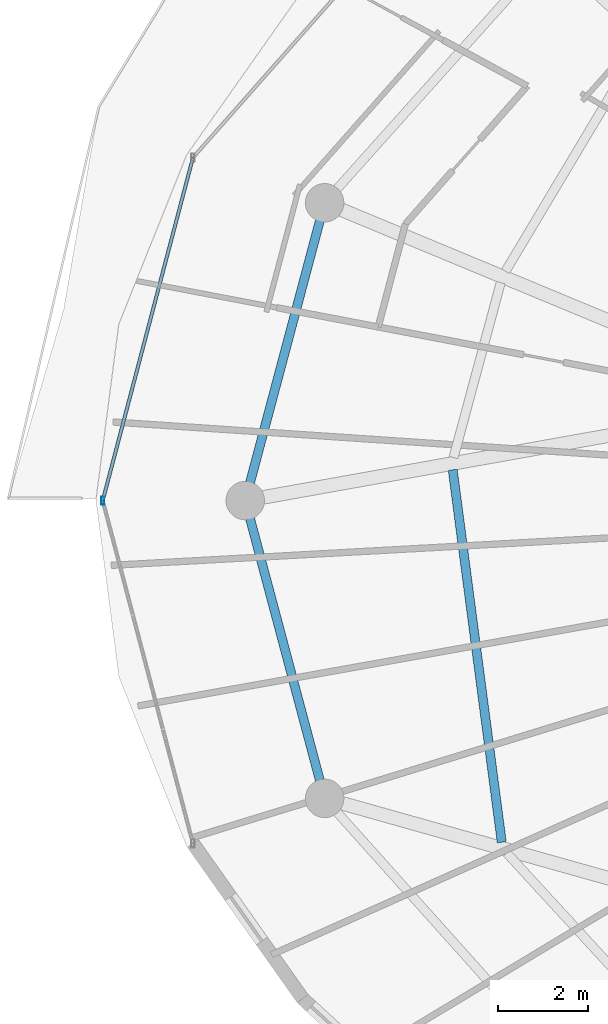
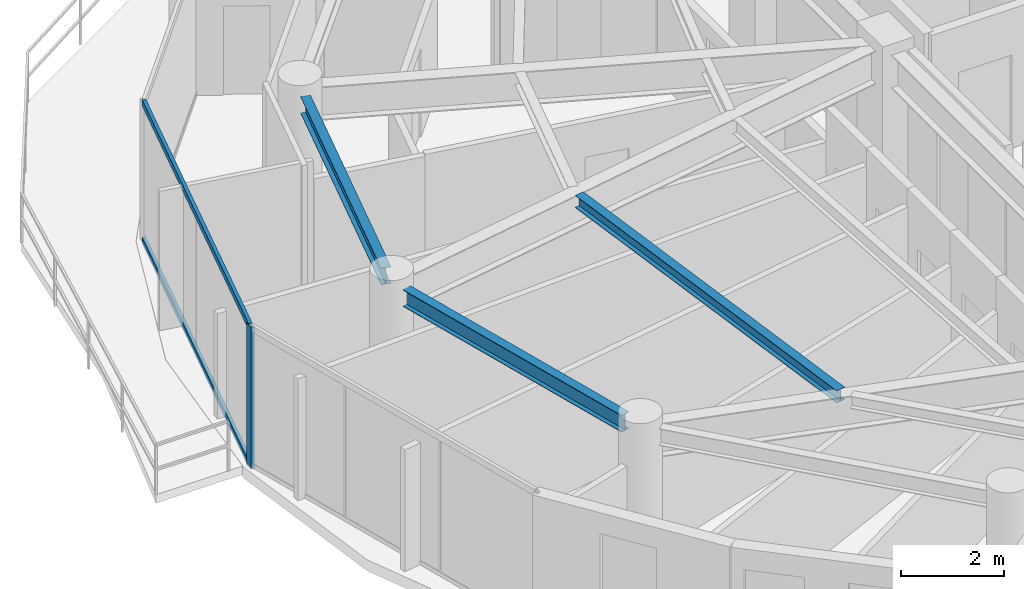
# One storey, part 6 of 29: 3 beams, 3 members, 1 element without a shape of its own.
"""IFC4 building model written with IfcOpenShell, lengths in metres."""

from ifc_helpers import new_model, si_unit, direction, frame, origin, origin_2d, place, context, subcontext, project, spatial, hollow_rectangle, i_section, extrude, material, material_profile, profile_set, type_object, element, aggregate, save


model = new_model("IFC4")

# Units and contexts
model_context = context("Model", 3, precision=1e-05, world=origin(), true_north=direction((0.0, 1.0)))
body_context = subcontext(model_context, "Body", "Model", "MODEL_VIEW")
ifc_project = project(units=[si_unit("LENGTHUNIT", "METRE"), si_unit("AREAUNIT", "SQUARE_METRE"), si_unit("VOLUMEUNIT", "CUBIC_METRE"), si_unit("PLANEANGLEUNIT", "RADIAN"), si_unit("MASSUNIT", "GRAM", prefix="KILO")], contexts=[model_context])

# Site, building, storey
site_placement = place(None, origin())
site = spatial("IfcSite", under=ifc_project, at=site_placement, CompositionType="ELEMENT")
building_placement = place(site_placement, origin())
building = spatial("IfcBuilding", under=site, at=building_placement, Name="Vorneva Point Tower", CompositionType="ELEMENT")
storey_placement = place(building_placement, frame((0.0, 0.0, 273.300048828125)))
storey = spatial("IfcBuildingStorey", under=building, at=storey_placement, Name="L74", CompositionType="ELEMENT", Elevation=273.300048828125)

# Beams
ifc_material_1 = material(Name="Steel S355", Category="steel")
ifc_material_profile_1 = material_profile(ifc_material_1, i_section(OverallWidth=0.199951171875, OverallDepth=0.291015625, WebThickness=0.008056640625, FlangeThickness=0.010986328125, at=origin_2d()), Name="30Sh1")
ifc_profile_set_1 = profile_set([ifc_material_profile_1], Name="Steel S355")
beam_type_1 = type_object("IfcBeamType", Name="BM-SEC-30Sh1", PredefinedType="BEAM", material=ifc_profile_set_1)
beam_placement = place(storey_placement, frame((19.53564453125, 26.68017578125, 3.14453125), z_axis=(0.13054578094, -0.991442282273, 0.0), x_axis=(0.991442282273, 0.13054578094, 0.0)))
element("IfcBeam", 1, at=beam_placement, inside=storey, type_object=beam_type_1, Name="L74 Secondary Floor Beam 1.09", PredefinedType="BEAM", context=body_context, shape_type="SweptSolid", body=[
    extrude(i_section(OverallWidth=0.199951171875, OverallDepth=0.291015625, WebThickness=0.008056640625, FlangeThickness=0.010986328125, at=origin_2d()), origin(), (0.0, 0.0, 1.0), 8.303466796875),
])
ifc_material_profile_2 = material_profile(ifc_material_1, i_section(OverallWidth=0.198974609375, OverallDepth=0.39599609375, WebThickness=0.007080078125, FlangeThickness=0.010986328125, at=origin_2d()), Name="40B1")
ifc_profile_set_2 = profile_set([ifc_material_profile_2], Name="Steel S355")
beam_type_2 = type_object("IfcBeamType", Name="BM-SPN-40B1", PredefinedType="SPANDREL", material=ifc_profile_set_2)
for number, where, z_axis, x_axis, name in (
    (2, (16.59912109375, 32.18603515625, 3.092041015625), (-0.257586570866, -0.966255224312, 0.0), (0.966255224312, -0.257586570866, 0.0), "L74 Perimeter Spandrel Ring Beam 08"),
    (3, (15.0556640625, 25.603759765625, 3.092041015625), (0.257586570866, -0.966255224312, 0.0), (0.966255224312, 0.257586570866, 0.0), "L74 Perimeter Spandrel Ring Beam 09"),
):
    element("IfcBeam", number, at=place(storey_placement, frame(where, z_axis=z_axis, x_axis=x_axis)), inside=storey, type_object=beam_type_2, Name=name, PredefinedType="SPANDREL", context=body_context, shape_type="SweptSolid", body=[
        extrude(i_section(OverallWidth=0.198974609375, OverallDepth=0.39599609375, WebThickness=0.007080078125, FlangeThickness=0.010986328125, at=origin_2d()), origin(), (0.0, 0.0, 1.0), 5.991943359375),
    ])

# Curtain wall, members
ifc_material_2 = material(Name="Pale anodised aluminium", Category="aluminium")
curtain_wall_type = type_object("IfcCurtainWallType", Name="CW-RES-SYS", PredefinedType="NOTDEFINED", material=ifc_material_2)
curtain_wall_placement = place(storey_placement, origin())
curtain_wall = element("IfcCurtainWall", 4, at=curtain_wall_placement, inside=storey, type_object=curtain_wall_type, Name="L74 Unitised Curtain Wall CW-L74-R03", PredefinedType="NOTDEFINED")
ifc_material_profile_3 = material_profile(ifc_material_2, hollow_rectangle(XDim=0.074951171875, YDim=0.179931640625, WallThickness=0.00390625, at=origin_2d()), Name="AL-MUL 180x75x4")
ifc_profile_set_3 = profile_set([ifc_material_profile_3], Name="Pale anodised aluminium")
member_type_1 = type_object("IfcMemberType", Name="CW-MUL-180", PredefinedType="MULLION", material=ifc_profile_set_3)
member_1_placement = place(storey_placement, frame((11.800048828125, 26.0, -0.0400390625), z_axis=(0.0, 0.0, 1.0), x_axis=(1.0, 0.0, 0.0)))
member_1 = element("IfcMember", 5, at=member_1_placement, type_object=member_type_1, Name="CW-L74-R03 Mullion 03", PredefinedType="MULLION", context=body_context, shape_type="SweptSolid", body=[
    extrude(hollow_rectangle(XDim=0.074951171875, YDim=0.179931640625, WallThickness=0.00390625, at=origin_2d()), origin(), (0.0, 0.0, 1.0), 3.360107421875),
])
ifc_material_profile_4 = material_profile(ifc_material_2, hollow_rectangle(XDim=0.074951171875, YDim=0.14990234375, WallThickness=0.00390625, at=origin_2d()), Name="AL-TRN 150x75x4")
ifc_profile_set_4 = profile_set([ifc_material_profile_4], Name="Pale anodised aluminium")
member_type_2 = type_object("IfcMemberType", Name="CW-TRN-150", PredefinedType="USERDEFINED", material=ifc_profile_set_4)
member_2_placement = place(storey_placement, frame((13.79443359375, 33.5810546875, 0.02001953125), z_axis=(-0.254418180926, -0.967094302131, 0.0), x_axis=(0.967094302131, -0.254418180926, 0.0)))
member_2 = element("IfcMember", 6, at=member_2_placement, type_object=member_type_2, Name="CW-L74-R03 Transom 02.1", ObjectType="TRANSOM", PredefinedType="USERDEFINED", context=body_context, shape_type="SweptSolid", body=[
    extrude(hollow_rectangle(XDim=0.074951171875, YDim=0.14990234375, WallThickness=0.00390625, at=origin_2d()), origin(), (0.0, 0.0, 1.0), 7.839111328125),
])
member_3_placement = place(storey_placement, frame((13.79443359375, 33.5810546875, 3.27001953125), z_axis=(-0.254418180926, -0.967094302131, 0.0), x_axis=(0.967094302131, -0.254418180926, 0.0)))
member_3 = element("IfcMember", 7, at=member_3_placement, type_object=member_type_2, Name="CW-L74-R03 Transom 02.2", ObjectType="TRANSOM", PredefinedType="USERDEFINED", context=body_context, shape_type="SweptSolid", body=[
    extrude(hollow_rectangle(XDim=0.074951171875, YDim=0.14990234375, WallThickness=0.00390625, at=origin_2d()), origin(), (0.0, 0.0, 1.0), 7.839111328125),
])
aggregate(curtain_wall, [member_1, member_2, member_3])

save(model, "model.ifc")
